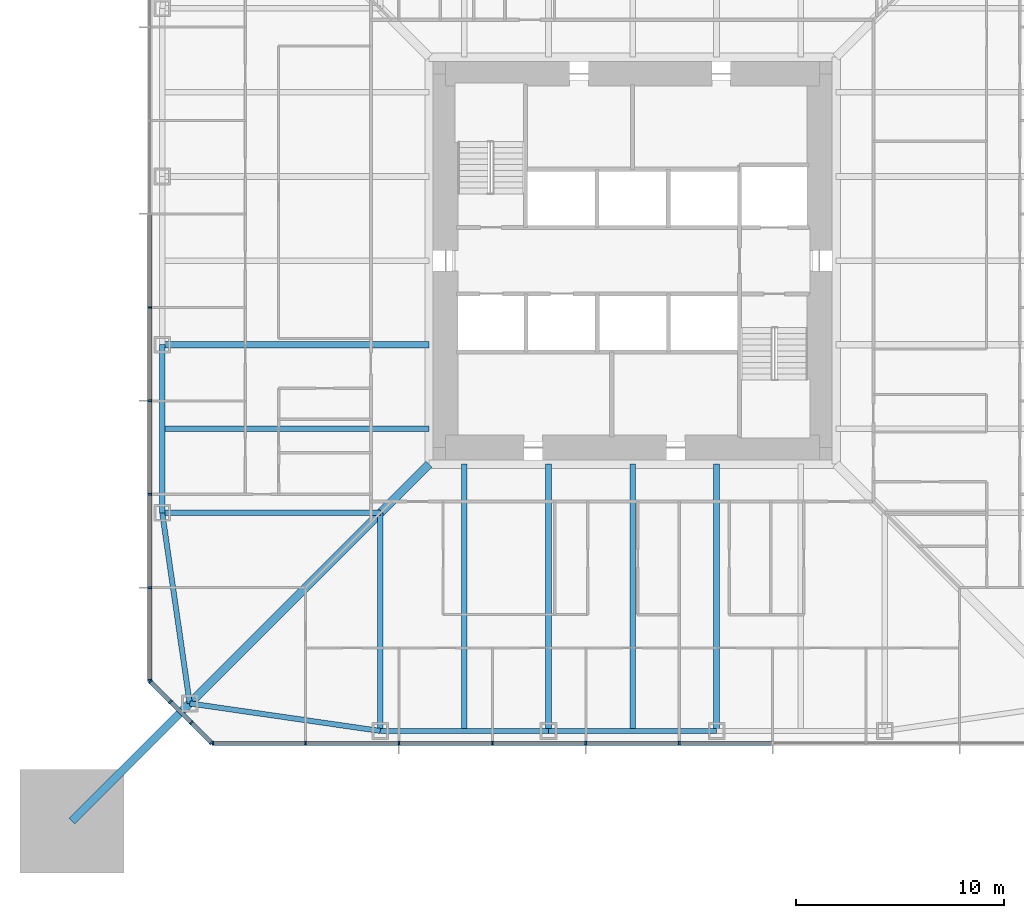
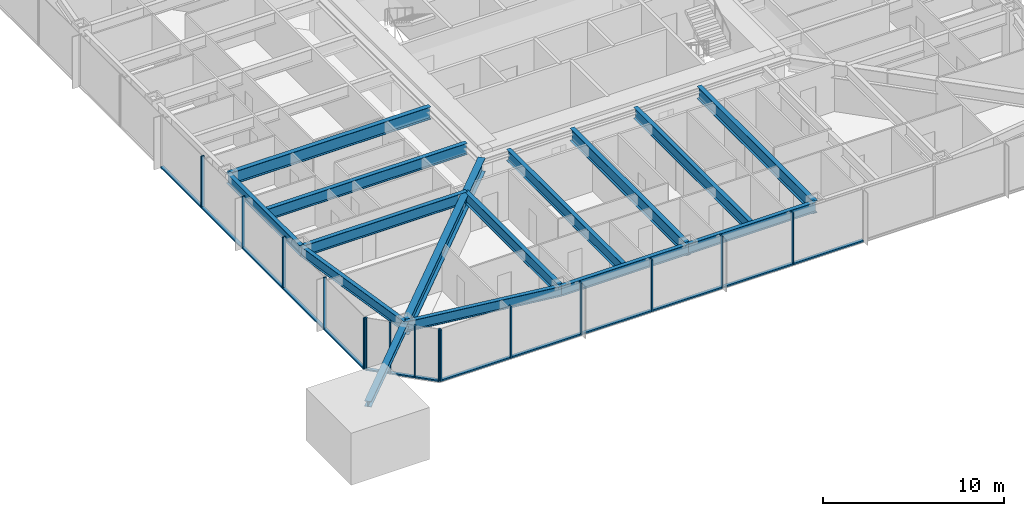
# One storey, part 3 of 26: 30 members, 14 beams, 3 elements without a shape of their own.
"""IFC4 building model written with IfcOpenShell, lengths in metres."""

from ifc_helpers import new_model, si_unit, direction, frame, origin, origin_2d, place, context, subcontext, project, spatial, rectangle, i_section, extrude, material, material_profile, profile_set, type_object, element, aggregate, save


model = new_model("IFC4")

# Units and contexts
model_context = context("Model", 3, precision=1e-05, world=origin(), true_north=direction((0.0, 1.0)))
body_context = subcontext(model_context, "Body", "Model", "MODEL_VIEW")
ifc_project = project(units=[si_unit("LENGTHUNIT", "METRE"), si_unit("AREAUNIT", "SQUARE_METRE"), si_unit("VOLUMEUNIT", "CUBIC_METRE"), si_unit("PLANEANGLEUNIT", "RADIAN"), si_unit("MASSUNIT", "GRAM", prefix="KILO")], contexts=[model_context])

# Site, building, storey
site_placement = place(None, origin())
site = spatial("IfcSite", under=ifc_project, at=site_placement, CompositionType="ELEMENT")
building_placement = place(site_placement, origin())
building = spatial("IfcBuilding", under=site, at=building_placement, Name="Iwan Alto Co-Living Towers", CompositionType="ELEMENT")
storey_placement = place(building_placement, frame((0.0, 0.0, 50.0)))
storey = spatial("IfcBuildingStorey", under=building, at=storey_placement, Name="L13", CompositionType="ELEMENT", Elevation=50.0)

# Curtain wall, members
ifc_material_1 = material(Name="Bronze aluminium unitised frame", Category="aluminium")
curtain_wall_type_1 = type_object("IfcCurtainWallType", Name="CURTAIN WALL CW-A", PredefinedType="NOTDEFINED", material=ifc_material_1)
curtain_wall_1_placement = place(storey_placement, origin())
curtain_wall_1 = element("IfcCurtainWall", 1, at=curtain_wall_1_placement, inside=storey, type_object=curtain_wall_type_1, Name="T1 curtain wall S L13", PredefinedType="NOTDEFINED")
ifc_material_2 = material(Name="Aluminium 6063-T6 bronze anodised", Category="aluminium")
ifc_material_profile_1 = material_profile(ifc_material_2, rectangle(XDim=0.199951171875, YDim=0.080078125, at=origin_2d()), Name="AL 80X200")
ifc_profile_set_1 = profile_set([ifc_material_profile_1], Name="Aluminium 6063-T6 bronze anodised")
member_type_1 = type_object("IfcMemberType", Name="CW-A MULLION 80X200", PredefinedType="MULLION", material=ifc_profile_set_1)
member_1_placement = place(storey_placement, frame((-20.2099609375, -23.25, 0.0), z_axis=(0.0, 0.0, 1.0), x_axis=(0.0, 1.0, 0.0)))
member_1 = element("IfcMember", 2, at=member_1_placement, type_object=member_type_1, Name="CW-A mullion 1", PredefinedType="MULLION", context=body_context, shape_type="SweptSolid", body=[
    extrude(rectangle(XDim=0.199951171875, YDim=0.080078125, at=origin_2d()), origin(), (0.0, 0.0, 1.0), 3.5),
])
member_2_placement = place(storey_placement, frame((-15.75, -23.25, 0.0), z_axis=(0.0, 0.0, 1.0), x_axis=(0.0, 1.0, 0.0)))
member_2 = element("IfcMember", 3, at=member_2_placement, type_object=member_type_1, Name="CW-A mullion 2", PredefinedType="MULLION", context=body_context, shape_type="SweptSolid", body=[
    extrude(rectangle(XDim=0.199951171875, YDim=0.080078125, at=origin_2d()), origin(), (0.0, 0.0, 1.0), 3.5),
])
member_3_placement = place(storey_placement, frame((-11.25, -23.25, 0.0), z_axis=(0.0, 0.0, 1.0), x_axis=(0.0, 1.0, 0.0)))
member_3 = element("IfcMember", 4, at=member_3_placement, type_object=member_type_1, Name="CW-A mullion 3", PredefinedType="MULLION", context=body_context, shape_type="SweptSolid", body=[
    extrude(rectangle(XDim=0.199951171875, YDim=0.080078125, at=origin_2d()), origin(), (0.0, 0.0, 1.0), 3.5),
])
member_4_placement = place(storey_placement, frame((-6.75, -23.25, 0.0), z_axis=(0.0, 0.0, 1.0), x_axis=(0.0, 1.0, 0.0)))
member_4 = element("IfcMember", 5, at=member_4_placement, type_object=member_type_1, Name="CW-A mullion 4", PredefinedType="MULLION", context=body_context, shape_type="SweptSolid", body=[
    extrude(rectangle(XDim=0.199951171875, YDim=0.080078125, at=origin_2d()), origin(), (0.0, 0.0, 1.0), 3.5),
])
member_5_placement = place(storey_placement, frame((-2.25, -23.25, 0.0), z_axis=(0.0, 0.0, 1.0), x_axis=(0.0, 1.0, 0.0)))
member_5 = element("IfcMember", 6, at=member_5_placement, type_object=member_type_1, Name="CW-A mullion 5", PredefinedType="MULLION", context=body_context, shape_type="SweptSolid", body=[
    extrude(rectangle(XDim=0.199951171875, YDim=0.080078125, at=origin_2d()), origin(), (0.0, 0.0, 1.0), 3.5),
])
member_6_placement = place(storey_placement, frame((2.25, -23.25, 0.0), z_axis=(0.0, 0.0, 1.0), x_axis=(0.0, 1.0, 0.0)))
member_6 = element("IfcMember", 7, at=member_6_placement, type_object=member_type_1, Name="CW-A mullion 6", PredefinedType="MULLION", context=body_context, shape_type="SweptSolid", body=[
    extrude(rectangle(XDim=0.199951171875, YDim=0.080078125, at=origin_2d()), origin(), (0.0, 0.0, 1.0), 3.5),
])

curtain_wall_2_placement = place(storey_placement, origin())
curtain_wall_2 = element("IfcCurtainWall", 8, at=curtain_wall_2_placement, inside=storey, type_object=curtain_wall_type_1, Name="T1 curtain wall W L13", PredefinedType="NOTDEFINED")
member_7_placement = place(storey_placement, frame((-23.25, -2.25, 0.0), z_axis=(0.0, 0.0, 1.0), x_axis=(1.0, 0.0, 0.0)))
member_7 = element("IfcMember", 9, at=member_7_placement, type_object=member_type_1, Name="CW-A mullion 6", PredefinedType="MULLION", context=body_context, shape_type="SweptSolid", body=[
    extrude(rectangle(XDim=0.199951171875, YDim=0.080078125, at=origin_2d()), origin(), (0.0, 0.0, 1.0), 3.5),
])
member_8_placement = place(storey_placement, frame((-23.25, -6.75, 0.0), z_axis=(0.0, 0.0, 1.0), x_axis=(1.0, 0.0, 0.0)))
member_8 = element("IfcMember", 10, at=member_8_placement, type_object=member_type_1, Name="CW-A mullion 7", PredefinedType="MULLION", context=body_context, shape_type="SweptSolid", body=[
    extrude(rectangle(XDim=0.199951171875, YDim=0.080078125, at=origin_2d()), origin(), (0.0, 0.0, 1.0), 3.5),
])
member_9_placement = place(storey_placement, frame((-23.25, -11.25, 0.0), z_axis=(0.0, 0.0, 1.0), x_axis=(1.0, 0.0, 0.0)))
member_9 = element("IfcMember", 11, at=member_9_placement, type_object=member_type_1, Name="CW-A mullion 8", PredefinedType="MULLION", context=body_context, shape_type="SweptSolid", body=[
    extrude(rectangle(XDim=0.199951171875, YDim=0.080078125, at=origin_2d()), origin(), (0.0, 0.0, 1.0), 3.5),
])
member_10_placement = place(storey_placement, frame((-23.25, -15.75, 0.0), z_axis=(0.0, 0.0, 1.0), x_axis=(1.0, 0.0, 0.0)))
member_10 = element("IfcMember", 12, at=member_10_placement, type_object=member_type_1, Name="CW-A mullion 9", PredefinedType="MULLION", context=body_context, shape_type="SweptSolid", body=[
    extrude(rectangle(XDim=0.199951171875, YDim=0.080078125, at=origin_2d()), origin(), (0.0, 0.0, 1.0), 3.5),
])
member_11_placement = place(storey_placement, frame((-23.25, -20.2099609375, 0.0), z_axis=(0.0, 0.0, 1.0), x_axis=(1.0, 0.0, 0.0)))
member_11 = element("IfcMember", 13, at=member_11_placement, type_object=member_type_1, Name="CW-A mullion 10", PredefinedType="MULLION", context=body_context, shape_type="SweptSolid", body=[
    extrude(rectangle(XDim=0.199951171875, YDim=0.080078125, at=origin_2d()), origin(), (0.0, 0.0, 1.0), 3.5),
])

# Member
ifc_material_3 = material(Name="Aluminium 6063-T6 bronze anodised", Category="aluminium")
ifc_material_profile_2 = material_profile(ifc_material_3, rectangle(XDim=0.199951171875, YDim=0.10009765625, at=origin_2d()), Name="AL 200X100")
ifc_profile_set_2 = profile_set([ifc_material_profile_2], Name="Aluminium 6063-T6 bronze anodised")
member_type_2 = type_object("IfcMemberType", Name="CW-A TRANSOM 200X100", PredefinedType="USERDEFINED", material=ifc_profile_set_2)
member_12_placement = place(storey_placement, frame((-20.169921875, -23.25, 0.050048828125), z_axis=(1.0, 0.0, 0.0), x_axis=(0.0, 1.0, 0.0)))
member_12 = element("IfcMember", 14, at=member_12_placement, type_object=member_type_2, Name="CW-A transom 1.1", ObjectType="TRANSOM", PredefinedType="USERDEFINED", context=body_context, shape_type="SweptSolid", body=[
    extrude(rectangle(XDim=0.199951171875, YDim=0.10009765625, at=origin_2d()), origin(), (0.0, 0.0, 1.0), 4.3798828125),
])

member_13_placement = place(storey_placement, frame((-15.7099609375, -23.25, 0.050048828125), z_axis=(1.0, 0.0, 0.0), x_axis=(0.0, 1.0, 0.0)))
member_13 = element("IfcMember", 15, at=member_13_placement, type_object=member_type_2, Name="CW-A transom 2.1", ObjectType="TRANSOM", PredefinedType="USERDEFINED", context=body_context, shape_type="SweptSolid", body=[
    extrude(rectangle(XDim=0.199951171875, YDim=0.10009765625, at=origin_2d()), origin(), (0.0, 0.0, 1.0), 4.419921875),
])

member_14_placement = place(storey_placement, frame((-11.2099609375, -23.25, 0.050048828125), z_axis=(1.0, 0.0, 0.0), x_axis=(0.0, 1.0, 0.0)))
member_14 = element("IfcMember", 16, at=member_14_placement, type_object=member_type_2, Name="CW-A transom 3.1", ObjectType="TRANSOM", PredefinedType="USERDEFINED", context=body_context, shape_type="SweptSolid", body=[
    extrude(rectangle(XDim=0.199951171875, YDim=0.10009765625, at=origin_2d()), origin(), (0.0, 0.0, 1.0), 4.419921875),
])

member_15_placement = place(storey_placement, frame((-6.7099609375, -23.25, 0.050048828125), z_axis=(1.0, 0.0, 0.0), x_axis=(0.0, 1.0, 0.0)))
member_15 = element("IfcMember", 17, at=member_15_placement, type_object=member_type_2, Name="CW-A transom 4.1", ObjectType="TRANSOM", PredefinedType="USERDEFINED", context=body_context, shape_type="SweptSolid", body=[
    extrude(rectangle(XDim=0.199951171875, YDim=0.10009765625, at=origin_2d()), origin(), (0.0, 0.0, 1.0), 4.419921875),
])

member_16_placement = place(storey_placement, frame((-2.2099609375, -23.25, 0.050048828125), z_axis=(1.0, 0.0, 0.0), x_axis=(0.0, 1.0, 0.0)))
member_16 = element("IfcMember", 18, at=member_16_placement, type_object=member_type_2, Name="CW-A transom 5.1", ObjectType="TRANSOM", PredefinedType="USERDEFINED", context=body_context, shape_type="SweptSolid", body=[
    extrude(rectangle(XDim=0.199951171875, YDim=0.10009765625, at=origin_2d()), origin(), (0.0, 0.0, 1.0), 4.419921875),
])

member_17_placement = place(storey_placement, frame((2.2900390625, -23.25, 0.050048828125), z_axis=(1.0, 0.0, 0.0), x_axis=(0.0, 1.0, 0.0)))
member_17 = element("IfcMember", 19, at=member_17_placement, type_object=member_type_2, Name="CW-A transom 6.1", ObjectType="TRANSOM", PredefinedType="USERDEFINED", context=body_context, shape_type="SweptSolid", body=[
    extrude(rectangle(XDim=0.199951171875, YDim=0.10009765625, at=origin_2d()), origin(), (0.0, 0.0, 1.0), 4.419921875),
])

aggregate(curtain_wall_1, [member_1, member_2, member_3, member_4, member_5, member_6, member_12, member_13, member_14, member_15, member_16, member_17])

member_18_placement = place(storey_placement, frame((-23.25, 2.2099609375, 0.050048828125), z_axis=(0.0, -1.0, 0.0), x_axis=(1.0, 0.0, 0.0)))
member_18 = element("IfcMember", 20, at=member_18_placement, type_object=member_type_2, Name="CW-A transom 5.1", ObjectType="TRANSOM", PredefinedType="USERDEFINED", context=body_context, shape_type="SweptSolid", body=[
    extrude(rectangle(XDim=0.199951171875, YDim=0.10009765625, at=origin_2d()), origin(), (0.0, 0.0, 1.0), 4.419921875),
])

member_19_placement = place(storey_placement, frame((-23.25, -2.2900390625, 0.050048828125), z_axis=(0.0, -1.0, 0.0), x_axis=(1.0, 0.0, 0.0)))
member_19 = element("IfcMember", 21, at=member_19_placement, type_object=member_type_2, Name="CW-A transom 6.1", ObjectType="TRANSOM", PredefinedType="USERDEFINED", context=body_context, shape_type="SweptSolid", body=[
    extrude(rectangle(XDim=0.199951171875, YDim=0.10009765625, at=origin_2d()), origin(), (0.0, 0.0, 1.0), 4.419921875),
])

member_20_placement = place(storey_placement, frame((-23.25, -6.7900390625, 0.050048828125), z_axis=(0.0, -1.0, 0.0), x_axis=(1.0, 0.0, 0.0)))
member_20 = element("IfcMember", 22, at=member_20_placement, type_object=member_type_2, Name="CW-A transom 7.1", ObjectType="TRANSOM", PredefinedType="USERDEFINED", context=body_context, shape_type="SweptSolid", body=[
    extrude(rectangle(XDim=0.199951171875, YDim=0.10009765625, at=origin_2d()), origin(), (0.0, 0.0, 1.0), 4.419921875),
])

member_21_placement = place(storey_placement, frame((-23.25, -11.2900390625, 0.050048828125), z_axis=(0.0, -1.0, 0.0), x_axis=(1.0, 0.0, 0.0)))
member_21 = element("IfcMember", 23, at=member_21_placement, type_object=member_type_2, Name="CW-A transom 8.1", ObjectType="TRANSOM", PredefinedType="USERDEFINED", context=body_context, shape_type="SweptSolid", body=[
    extrude(rectangle(XDim=0.199951171875, YDim=0.10009765625, at=origin_2d()), origin(), (0.0, 0.0, 1.0), 4.419921875),
])

member_22_placement = place(storey_placement, frame((-23.25, -15.7900390625, 0.050048828125), z_axis=(0.0, -1.0, 0.0), x_axis=(1.0, 0.0, 0.0)))
member_22 = element("IfcMember", 24, at=member_22_placement, type_object=member_type_2, Name="CW-A transom 9.1", ObjectType="TRANSOM", PredefinedType="USERDEFINED", context=body_context, shape_type="SweptSolid", body=[
    extrude(rectangle(XDim=0.199951171875, YDim=0.10009765625, at=origin_2d()), origin(), (0.0, 0.0, 1.0), 4.3798828125),
])

aggregate(curtain_wall_2, [member_7, member_8, member_9, member_10, member_11, member_18, member_19, member_20, member_21, member_22])

# Curtain wall, members
ifc_material_4 = material(Name="Bronze aluminium unitised frame", Category="aluminium")
curtain_wall_type_2 = type_object("IfcCurtainWallType", Name="CURTAIN WALL CW-B", PredefinedType="NOTDEFINED", material=ifc_material_4)
curtain_wall_3_placement = place(storey_placement, origin())
curtain_wall_3 = element("IfcCurtainWall", 25, at=curtain_wall_3_placement, inside=storey, type_object=curtain_wall_type_2, Name="T1 chamfer curtain wall SW L13", PredefinedType="NOTDEFINED")
ifc_material_5 = material(Name="Aluminium 6063-T6 bronze anodised", Category="aluminium")
ifc_material_profile_3 = material_profile(ifc_material_5, rectangle(XDim=0.199951171875, YDim=0.080078125, at=origin_2d()), Name="AL 80X200")
ifc_profile_set_3 = profile_set([ifc_material_profile_3], Name="Aluminium 6063-T6 bronze anodised")
member_type_3 = type_object("IfcMemberType", Name="CW-B MULLION 80X200", PredefinedType="MULLION", material=ifc_profile_set_3)
member_23_placement = place(storey_placement, frame((-23.2216796875, -20.2783203125, 0.0), z_axis=(0.0, 0.0, 1.0), x_axis=(0.707106781187, 0.707106781187, 0.0)))
member_23 = element("IfcMember", 26, at=member_23_placement, type_object=member_type_3, Name="CW-B mullion 1", PredefinedType="MULLION", context=body_context, shape_type="SweptSolid", body=[
    extrude(rectangle(XDim=0.199951171875, YDim=0.080078125, at=origin_2d()), origin(), (0.0, 0.0, 1.0), 3.5),
])
member_24_placement = place(storey_placement, frame((-22.25, -21.25, 0.0), z_axis=(0.0, 0.0, 1.0), x_axis=(0.707106781187, 0.707106781187, 0.0)))
member_24 = element("IfcMember", 27, at=member_24_placement, type_object=member_type_3, Name="CW-B mullion 2", PredefinedType="MULLION", context=body_context, shape_type="SweptSolid", body=[
    extrude(rectangle(XDim=0.199951171875, YDim=0.080078125, at=origin_2d()), origin(), (0.0, 0.0, 1.0), 3.5),
])
member_25_placement = place(storey_placement, frame((-21.25, -22.25, 0.0), z_axis=(0.0, 0.0, 1.0), x_axis=(0.707106781187, 0.707106781187, 0.0)))
member_25 = element("IfcMember", 28, at=member_25_placement, type_object=member_type_3, Name="CW-B mullion 3", PredefinedType="MULLION", context=body_context, shape_type="SweptSolid", body=[
    extrude(rectangle(XDim=0.199951171875, YDim=0.080078125, at=origin_2d()), origin(), (0.0, 0.0, 1.0), 3.5),
])
member_26_placement = place(storey_placement, frame((-20.2783203125, -23.2216796875, 0.0), z_axis=(0.0, 0.0, 1.0), x_axis=(0.707106781187, 0.707106781187, 0.0)))
member_26 = element("IfcMember", 29, at=member_26_placement, type_object=member_type_3, Name="CW-B mullion 4", PredefinedType="MULLION", context=body_context, shape_type="SweptSolid", body=[
    extrude(rectangle(XDim=0.199951171875, YDim=0.080078125, at=origin_2d()), origin(), (0.0, 0.0, 1.0), 3.5),
])
ifc_material_6 = material(Name="Aluminium 6063-T6 bronze anodised", Category="aluminium")
ifc_material_profile_4 = material_profile(ifc_material_6, rectangle(XDim=0.199951171875, YDim=0.10009765625, at=origin_2d()), Name="AL 200X100")
ifc_profile_set_4 = profile_set([ifc_material_profile_4], Name="Aluminium 6063-T6 bronze anodised")
member_type_4 = type_object("IfcMemberType", Name="CW-B TRANSOM 200X100", PredefinedType="USERDEFINED", material=ifc_profile_set_4)
member_27_placement = place(storey_placement, frame((-23.193359375, -20.306640625, 0.050048828125), z_axis=(0.707106781187, -0.707106781187, 0.0), x_axis=(0.707106781187, 0.707106781187, 0.0)))
member_27 = element("IfcMember", 30, at=member_27_placement, type_object=member_type_4, Name="CW-B transom 1.1", ObjectType="TRANSOM", PredefinedType="USERDEFINED", context=body_context, shape_type="SweptSolid", body=[
    extrude(rectangle(XDim=0.199951171875, YDim=0.10009765625, at=origin_2d()), origin(), (0.0, 0.0, 1.0), 1.2939453125),
])
member_28_placement = place(storey_placement, frame((-22.2216796875, -21.2783203125, 0.050048828125), z_axis=(0.707106781187, -0.707106781187, 0.0), x_axis=(0.707106781187, 0.707106781187, 0.0)))
member_28 = element("IfcMember", 31, at=member_28_placement, type_object=member_type_4, Name="CW-B transom 2.1", ObjectType="TRANSOM", PredefinedType="USERDEFINED", context=body_context, shape_type="SweptSolid", body=[
    extrude(rectangle(XDim=0.199951171875, YDim=0.10009765625, at=origin_2d()), origin(), (0.0, 0.0, 1.0), 1.334228515625),
])
member_29_placement = place(storey_placement, frame((-21.2216796875, -22.2783203125, 0.050048828125), z_axis=(0.707106781187, -0.707106781187, 0.0), x_axis=(0.707106781187, 0.707106781187, 0.0)))
member_29 = element("IfcMember", 32, at=member_29_placement, type_object=member_type_4, Name="CW-B transom 3.1", ObjectType="TRANSOM", PredefinedType="USERDEFINED", context=body_context, shape_type="SweptSolid", body=[
    extrude(rectangle(XDim=0.199951171875, YDim=0.10009765625, at=origin_2d()), origin(), (0.0, 0.0, 1.0), 1.2939453125),
])
aggregate(curtain_wall_3, [member_23, member_24, member_25, member_26, member_27, member_28, member_29])

# Beams
ifc_material_7 = material(Name="Steel ASTM A992 Gr 50", Category="steel")
ifc_material_profile_5 = material_profile(ifc_material_7, i_section(OverallWidth=0.419189453125, OverallDepth=0.927001953125, WebThickness=0.019287109375, FlangeThickness=0.031982421875, at=origin_2d()), Name="W36X231")
ifc_profile_set_5 = profile_set([ifc_material_profile_5], Name="Steel ASTM A992 Gr 50")
beam_type_1 = type_object("IfcBeamType", Name="T1 CORNER GIRDER W36X231", PredefinedType="BEAM", material=ifc_profile_set_5)
beam_1_placement = place(storey_placement, frame((-21.32568359375, -21.32568359375, 2.806396484375), z_axis=(0.707106781187, 0.707106781187, 0.0), x_axis=(-0.707106781187, 0.707106781187, 0.0)))
element("IfcBeam", 33, at=beam_1_placement, inside=storey, type_object=beam_type_1, Name="T1 corner girder CSW L14", PredefinedType="BEAM", context=body_context, shape_type="SweptSolid", body=[
    extrude(i_section(OverallWidth=0.419189453125, OverallDepth=0.927001953125, WebThickness=0.019287109375, FlangeThickness=0.031982421875, at=origin_2d()), origin(), (0.0, 0.0, 1.0), 16.296875),
])
ifc_material_8 = material(Name="Steel ASTM A992 Gr 50", Category="steel")
ifc_material_profile_6 = material_profile(ifc_material_8, i_section(OverallWidth=0.25390625, OverallDepth=0.683349609375, WebThickness=0.012451171875, FlangeThickness=0.018798828125, at=origin_2d()), Name="W27X94")
ifc_profile_set_6 = profile_set([ifc_material_profile_6], Name="Steel ASTM A992 Gr 50")
beam_type_2 = type_object("IfcBeamType", Name="T1 EDGE BEAM W27X94", PredefinedType="BEAM", material=ifc_profile_set_6)
beam_2_placement = place(storey_placement, frame((-21.32568359375, -21.32568359375, 2.928466796875), z_axis=(0.989746234347, -0.142836940589, 0.0), x_axis=(0.142836940589, 0.989746234347, 0.0)))
element("IfcBeam", 34, at=beam_2_placement, inside=storey, type_object=beam_type_2, Name="T1 edge beam CSW L14", PredefinedType="BEAM", context=body_context, shape_type="SweptSolid", body=[
    extrude(i_section(OverallWidth=0.25390625, OverallDepth=0.683349609375, WebThickness=0.012451171875, FlangeThickness=0.018798828125, at=origin_2d()), origin(), (0.0, 0.0, 1.0), 9.270751953125),
])
beam_3_placement = place(storey_placement, frame((-12.14990234375, -22.64990234375, 2.928466796875), z_axis=(1.0, 0.0, 0.0), x_axis=(0.0, 1.0, 0.0)))
element("IfcBeam", 35, at=beam_3_placement, inside=storey, type_object=beam_type_2, Name="T1 edge beam S1 L14", PredefinedType="BEAM", context=body_context, shape_type="SweptSolid", body=[
    extrude(i_section(OverallWidth=0.25390625, OverallDepth=0.683349609375, WebThickness=0.012451171875, FlangeThickness=0.018798828125, at=origin_2d()), origin(), (0.0, 0.0, 1.0), 8.099853515625),
])
beam_4_placement = place(storey_placement, frame((-4.050048828125, -22.64990234375, 2.928466796875), z_axis=(1.0, 0.0, 0.0), x_axis=(0.0, 1.0, 0.0)))
element("IfcBeam", 36, at=beam_4_placement, inside=storey, type_object=beam_type_2, Name="T1 edge beam S2 L14", PredefinedType="BEAM", context=body_context, shape_type="SweptSolid", body=[
    extrude(i_section(OverallWidth=0.25390625, OverallDepth=0.683349609375, WebThickness=0.012451171875, FlangeThickness=0.018798828125, at=origin_2d()), origin(), (0.0, 0.0, 1.0), 8.10009765625),
])
beam_5_placement = place(storey_placement, frame((-22.64990234375, -4.050048828125, 2.928466796875), z_axis=(0.0, -1.0, 0.0), x_axis=(1.0, 0.0, 0.0)))
element("IfcBeam", 37, at=beam_5_placement, inside=storey, type_object=beam_type_2, Name="T1 edge beam W3 L14", PredefinedType="BEAM", context=body_context, shape_type="SweptSolid", body=[
    extrude(i_section(OverallWidth=0.25390625, OverallDepth=0.683349609375, WebThickness=0.012451171875, FlangeThickness=0.018798828125, at=origin_2d()), origin(), (0.0, 0.0, 1.0), 8.099853515625),
])
beam_6_placement = place(storey_placement, frame((-22.64990234375, -12.14990234375, 2.928466796875), z_axis=(0.142836940589, -0.989746234347, 0.0), x_axis=(0.989746234347, 0.142836940589, 0.0)))
element("IfcBeam", 38, at=beam_6_placement, inside=storey, type_object=beam_type_2, Name="T1 edge beam W4 L14", PredefinedType="BEAM", context=body_context, shape_type="SweptSolid", body=[
    extrude(i_section(OverallWidth=0.25390625, OverallDepth=0.683349609375, WebThickness=0.012451171875, FlangeThickness=0.018798828125, at=origin_2d()), origin(), (0.0, 0.0, 1.0), 9.270751953125),
])

# Member
ifc_material_9 = material(Name="Steel ASTM A992 Gr 50", Category="steel")
ifc_material_profile_7 = material_profile(ifc_material_9, i_section(OverallWidth=0.393798828125, OverallDepth=0.3759765625, WebThickness=0.017333984375, FlangeThickness=0.027587890625, at=origin_2d()), Name="W14X145")
ifc_profile_set_7 = profile_set([ifc_material_profile_7], Name="Steel ASTM A992 Gr 50")
member_type_5 = type_object("IfcMemberType", Name="T1 MEGA COLUMN FLOOR TIE W14X145", PredefinedType="STRUT", material=ifc_profile_set_7)
member_30_placement = place(storey_placement, frame((-27.0, -27.0, 3.08203125), z_axis=(0.707106781187, 0.707106781187, 0.0), x_axis=(-0.707106781187, 0.707106781187, 0.0)))
element("IfcMember", 39, at=member_30_placement, inside=storey, type_object=member_type_5, Name="T1 mega column floor tie SW L14", PredefinedType="STRUT", context=body_context, shape_type="SweptSolid", body=[
    extrude(i_section(OverallWidth=0.393798828125, OverallDepth=0.3759765625, WebThickness=0.017333984375, FlangeThickness=0.027587890625, at=origin_2d()), origin(), (0.0, 0.0, 1.0), 8.024658203125),
])

# Beams
ifc_material_10 = material(Name="Steel ASTM A992 Gr 50", Category="steel")
ifc_material_profile_8 = material_profile(ifc_material_10, i_section(OverallWidth=0.2666015625, OverallDepth=0.761962890625, WebThickness=0.014404296875, FlangeThickness=0.021484375, at=origin_2d()), Name="W30X116")
ifc_profile_set_8 = profile_set([ifc_material_profile_8], Name="Steel ASTM A992 Gr 50")
beam_type_3 = type_object("IfcBeamType", Name="T1 RADIAL BEAM W30X116", PredefinedType="BEAM", material=ifc_profile_set_8)
for number, where, z_axis, x_axis, name in (
    (40, (-12.14990234375, -22.64990234375, 2.888916015625), (0.0, 1.0, 0.0), (-1.0, 0.0, 0.0), "T1 radial beam S1 L14"),
    (41, (-22.64990234375, -12.14990234375, 2.888916015625), (1.0, 0.0, 0.0), (0.0, 1.0, 0.0), "T1 radial beam W4 L14"),
):
    element("IfcBeam", number, at=place(storey_placement, frame(where, z_axis=z_axis, x_axis=x_axis)), inside=storey, type_object=beam_type_3, Name=name, PredefinedType="BEAM", context=body_context, shape_type="SweptSolid", body=[
        extrude(i_section(OverallWidth=0.2666015625, OverallDepth=0.761962890625, WebThickness=0.014404296875, FlangeThickness=0.021484375, at=origin_2d()), origin(), (0.0, 0.0, 1.0), 10.5),
    ])
ifc_material_11 = material(Name="Steel ASTM A992 Gr 50", Category="steel")
ifc_material_profile_9 = material_profile(ifc_material_11, i_section(OverallWidth=0.2919921875, OverallDepth=0.8408203125, WebThickness=0.0146484375, FlangeThickness=0.021728515625, at=origin_2d()), Name="W33X130")
ifc_profile_set_9 = profile_set([ifc_material_profile_9], Name="Steel ASTM A992 Gr 50")
beam_type_4 = type_object("IfcBeamType", Name="T1 RADIAL BEAM W33X130", PredefinedType="BEAM", material=ifc_profile_set_9)
for number, where, z_axis, x_axis, name in (
    (42, (-4.050048828125, -22.64990234375, 2.849609375), (0.0, 1.0, 0.0), (-1.0, 0.0, 0.0), "T1 radial beam S2 L14"),
    (43, (4.050048828125, -22.64990234375, 2.849609375), (0.0, 1.0, 0.0), (-1.0, 0.0, 0.0), "T1 radial beam S3 L14"),
    (44, (-22.64990234375, -4.050048828125, 2.849609375), (1.0, 0.0, 0.0), (0.0, 1.0, 0.0), "T1 radial beam W3 L14"),
):
    element("IfcBeam", number, at=place(storey_placement, frame(where, z_axis=z_axis, x_axis=x_axis)), inside=storey, type_object=beam_type_4, Name=name, PredefinedType="BEAM", context=body_context, shape_type="SweptSolid", body=[
        extrude(i_section(OverallWidth=0.2919921875, OverallDepth=0.8408203125, WebThickness=0.0146484375, FlangeThickness=0.021728515625, at=origin_2d()), origin(), (0.0, 0.0, 1.0), 12.847900390625),
    ])
ifc_material_12 = material(Name="Steel ASTM A992 Gr 50", Category="steel")
ifc_material_profile_10 = material_profile(ifc_material_12, i_section(OverallWidth=0.2666015625, OverallDepth=0.761962890625, WebThickness=0.014404296875, FlangeThickness=0.021484375, at=origin_2d()), Name="W30X116")
ifc_profile_set_10 = profile_set([ifc_material_profile_10], Name="Steel ASTM A992 Gr 50")
beam_type_5 = type_object("IfcBeamType", Name="T1 SECONDARY BEAM W30X116", PredefinedType="JOIST", material=ifc_profile_set_10)
for number, where, z_axis, x_axis, name in (
    (45, (-8.10009765625, -22.64990234375, 2.888916015625), (0.0, 1.0, 0.0), (-1.0, 0.0, 0.0), "T1 secondary beam S1 L14"),
    (46, (0.0, -22.64990234375, 2.888916015625), (0.0, 1.0, 0.0), (-1.0, 0.0, 0.0), "T1 secondary beam S2 L14"),
    (47, (-22.64990234375, -8.10009765625, 2.888916015625), (1.0, 0.0, 0.0), (0.0, 1.0, 0.0), "T1 secondary beam W3 L14"),
):
    element("IfcBeam", number, at=place(storey_placement, frame(where, z_axis=z_axis, x_axis=x_axis)), inside=storey, type_object=beam_type_5, Name=name, PredefinedType="JOIST", context=body_context, shape_type="SweptSolid", body=[
        extrude(i_section(OverallWidth=0.2666015625, OverallDepth=0.761962890625, WebThickness=0.014404296875, FlangeThickness=0.021484375, at=origin_2d()), origin(), (0.0, 0.0, 1.0), 12.847900390625),
    ])

save(model, "model.ifc")
